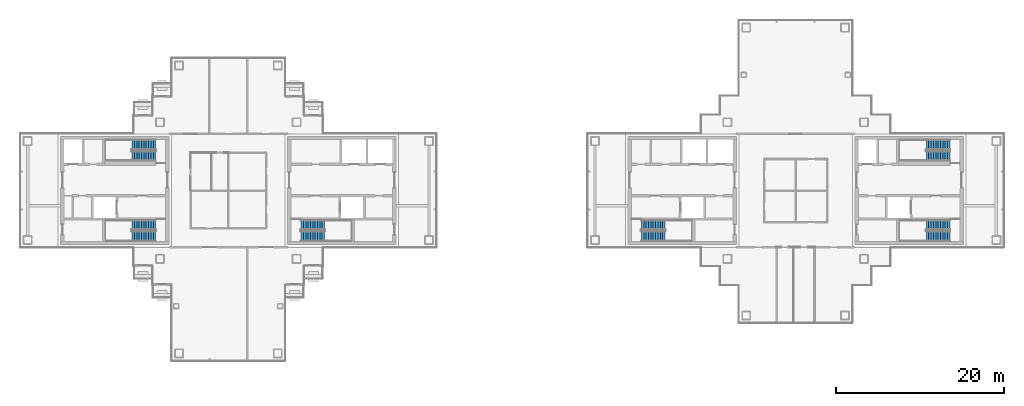
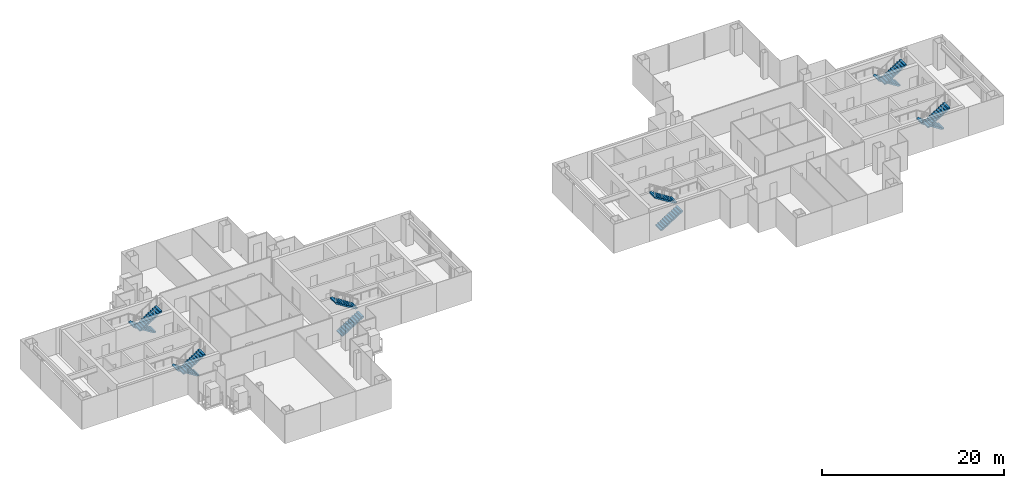
# One storey, part 12 of 15: 12 stair flights, 6 elements without a shape of their own.
"""IFC4 building model written with IfcOpenShell, lengths in metres."""

from ifc_helpers import new_model, si_unit, direction, frame, origin, place, context, subcontext, project, spatial, polyline, outline, extrude, material, type_object, element, aggregate, save


model = new_model("IFC4")

# Units and contexts
model_context = context("Model", 3, precision=1e-05, world=origin(), true_north=direction((0.0, 1.0)))
body_context = subcontext(model_context, "Body", "Model", "MODEL_VIEW")
ifc_project = project(units=[si_unit("LENGTHUNIT", "METRE"), si_unit("AREAUNIT", "SQUARE_METRE"), si_unit("VOLUMEUNIT", "CUBIC_METRE"), si_unit("PLANEANGLEUNIT", "RADIAN"), si_unit("MASSUNIT", "GRAM", prefix="KILO")], contexts=[model_context])

# Site, building, storey
site_placement = place(None, origin())
site = spatial("IfcSite", under=ifc_project, at=site_placement, CompositionType="ELEMENT")
building_placement = place(site_placement, origin())
building = spatial("IfcBuilding", under=site, at=building_placement, Name="Shamsa Quay Exchange Towers", CompositionType="ELEMENT")
storey_placement = place(building_placement, frame((0.0, 0.0, 206.10009765625)))
storey = spatial("IfcBuildingStorey", under=building, at=storey_placement, Name="L49", CompositionType="ELEMENT", Elevation=206.10009765625)

# Stair, stair flights
ifc_material = material(Name="Concrete C40/50", Category="concrete")
stair_type = type_object("IfcStairType", Name="EXIT STAIR 22 RISERS 177 MM", PredefinedType="HALF_TURN_STAIR", material=ifc_material)
stair_1_placement = place(storey_placement, origin())
stair_1 = element("IfcStair", 1, at=stair_1_placement, inside=storey, type_object=stair_type, Name="L49 Exit stair ST1", PredefinedType="HALF_TURN_STAIR")
stair_flight_type = type_object("IfcStairFlightType", Name="EXIT STAIR FLIGHT 11 RISERS 177 MM", PredefinedType="STRAIGHT", material=ifc_material)
stair_flight_1_placement = place(storey_placement, frame((-25.10009765625, -5.449951171875, 0.0)))
stair_flight_1 = element("IfcStairFlight", 2, at=stair_flight_1_placement, type_object=stair_flight_type, Name="ST1 flight 1", NumberOfRisers=11, NumberOfTreads=10, PredefinedType="STRAIGHT", RiserHeight=0.177272727, TreadLength=0.28, context=body_context, shape_type="SweptSolid", body=[
    extrude(outline(polyline([(0.0, 0.0), (0.0, 0.17724609375), (0.280029296875, 0.17724609375), (0.280029296875, 0.3544921875), (0.56005859375, 0.3544921875), (0.56005859375, 0.53173828125), (0.840087890625, 0.53173828125), (0.840087890625, 0.708984375), (1.1201171875, 0.708984375), (1.1201171875, 0.886474609375), (1.39990234375, 0.886474609375), (1.39990234375, 1.063720703125), (1.679931640625, 1.063720703125), (1.679931640625, 1.240966796875), (1.9599609375, 1.240966796875), (1.9599609375, 1.418212890625), (2.239990234375, 1.418212890625), (2.239990234375, 1.595458984375), (2.52001953125, 1.595458984375), (2.52001953125, 1.772705078125), (2.800048828125, 1.772705078125), (2.800048828125, 1.949951171875), (2.800048828125, 1.607177734375), (0.261474609375, 0.0), (0.0, 0.0)])), frame((0.0, 0.60009765625, 0.0), z_axis=(0.0, -1.0, 0.0), x_axis=(1.0, 0.0, 0.0)), (0.0, 0.0, 1.0), 1.199951171875),
])
stair_flight_2_placement = place(storey_placement, frame((-22.300048828125, -4.10009765625, 1.949951171875), z_axis=(0.0, 0.0, 1.0), x_axis=(-1.0, 0.0, 0.0)))
stair_flight_2 = element("IfcStairFlight", 3, at=stair_flight_2_placement, type_object=stair_flight_type, Name="ST1 flight 2", NumberOfRisers=11, NumberOfTreads=10, PredefinedType="STRAIGHT", RiserHeight=0.177272727, TreadLength=0.28, context=body_context, shape_type="SweptSolid", body=[
    extrude(outline(polyline([(0.0, 0.0), (0.0, 0.17724609375), (0.280029296875, 0.17724609375), (0.280029296875, 0.3544921875), (0.56005859375, 0.3544921875), (0.56005859375, 0.53173828125), (0.840087890625, 0.53173828125), (0.840087890625, 0.708984375), (1.1201171875, 0.708984375), (1.1201171875, 0.886474609375), (1.39990234375, 0.886474609375), (1.39990234375, 1.063720703125), (1.679931640625, 1.063720703125), (1.679931640625, 1.240966796875), (1.9599609375, 1.240966796875), (1.9599609375, 1.418212890625), (2.239990234375, 1.418212890625), (2.239990234375, 1.595458984375), (2.52001953125, 1.595458984375), (2.52001953125, 1.772705078125), (2.800048828125, 1.772705078125), (2.800048828125, 1.949951171875), (2.800048828125, 1.607177734375), (0.261474609375, 0.0), (0.0, 0.0)])), frame((0.0, 0.60009765625, 0.0), z_axis=(0.0, -1.0, 0.0), x_axis=(1.0, 0.0, 0.0)), (0.0, 0.0, 1.0), 1.199951171875),
])
aggregate(stair_1, [stair_flight_1, stair_flight_2])

stair_2_placement = place(storey_placement, origin())
stair_2 = element("IfcStair", 4, at=stair_2_placement, inside=storey, type_object=stair_type, Name="L49 Exit stair ST2", PredefinedType="HALF_TURN_STAIR")
stair_flight_3_placement = place(storey_placement, frame((-42.39990234375, -4.10009765625, 0.0), z_axis=(0.0, 0.0, 1.0), x_axis=(-1.0, 0.0, 0.0)))
stair_flight_3 = element("IfcStairFlight", 5, at=stair_flight_3_placement, type_object=stair_flight_type, Name="ST2 flight 1", NumberOfRisers=11, NumberOfTreads=10, PredefinedType="STRAIGHT", RiserHeight=0.177272727, TreadLength=0.28, context=body_context, shape_type="SweptSolid", body=[
    extrude(outline(polyline([(0.0, 0.0), (0.0, 0.17724609375), (0.280029296875, 0.17724609375), (0.280029296875, 0.3544921875), (0.56005859375, 0.3544921875), (0.56005859375, 0.53173828125), (0.840087890625, 0.53173828125), (0.840087890625, 0.708984375), (1.1201171875, 0.708984375), (1.1201171875, 0.886474609375), (1.39990234375, 0.886474609375), (1.39990234375, 1.063720703125), (1.679931640625, 1.063720703125), (1.679931640625, 1.240966796875), (1.9599609375, 1.240966796875), (1.9599609375, 1.418212890625), (2.239990234375, 1.418212890625), (2.239990234375, 1.595458984375), (2.52001953125, 1.595458984375), (2.52001953125, 1.772705078125), (2.800048828125, 1.772705078125), (2.800048828125, 1.949951171875), (2.800048828125, 1.607177734375), (0.261474609375, 0.0), (0.0, 0.0)])), frame((0.0, 0.60009765625, 0.0), z_axis=(0.0, -1.0, 0.0), x_axis=(1.0, 0.0, 0.0)), (0.0, 0.0, 1.0), 1.199951171875),
])
stair_flight_4_placement = place(storey_placement, frame((-45.199951171875, -5.449951171875, 1.949951171875)))
stair_flight_4 = element("IfcStairFlight", 6, at=stair_flight_4_placement, type_object=stair_flight_type, Name="ST2 flight 2", NumberOfRisers=11, NumberOfTreads=10, PredefinedType="STRAIGHT", RiserHeight=0.177272727, TreadLength=0.28, context=body_context, shape_type="SweptSolid", body=[
    extrude(outline(polyline([(0.0, 0.0), (0.0, 0.17724609375), (0.280029296875, 0.17724609375), (0.280029296875, 0.3544921875), (0.56005859375, 0.3544921875), (0.56005859375, 0.53173828125), (0.840087890625, 0.53173828125), (0.840087890625, 0.708984375), (1.1201171875, 0.708984375), (1.1201171875, 0.886474609375), (1.39990234375, 0.886474609375), (1.39990234375, 1.063720703125), (1.679931640625, 1.063720703125), (1.679931640625, 1.240966796875), (1.9599609375, 1.240966796875), (1.9599609375, 1.418212890625), (2.239990234375, 1.418212890625), (2.239990234375, 1.595458984375), (2.52001953125, 1.595458984375), (2.52001953125, 1.772705078125), (2.800048828125, 1.772705078125), (2.800048828125, 1.949951171875), (2.800048828125, 1.607177734375), (0.261474609375, 0.0), (0.0, 0.0)])), frame((0.0, 0.60009765625, 0.0), z_axis=(0.0, -1.0, 0.0), x_axis=(1.0, 0.0, 0.0)), (0.0, 0.0, 1.0), 1.199951171875),
])
aggregate(stair_2, [stair_flight_3, stair_flight_4])

stair_3_placement = place(storey_placement, origin())
stair_3 = element("IfcStair", 7, at=stair_3_placement, inside=storey, type_object=stair_type, Name="L49 Exit stair ST3", PredefinedType="HALF_TURN_STAIR")
stair_flight_5_placement = place(storey_placement, frame((-42.39990234375, 5.449951171875, 0.0), z_axis=(0.0, 0.0, 1.0), x_axis=(-1.0, 0.0, 0.0)))
stair_flight_5 = element("IfcStairFlight", 8, at=stair_flight_5_placement, type_object=stair_flight_type, Name="ST3 flight 1", NumberOfRisers=11, NumberOfTreads=10, PredefinedType="STRAIGHT", RiserHeight=0.177272727, TreadLength=0.28, context=body_context, shape_type="SweptSolid", body=[
    extrude(outline(polyline([(0.0, 0.0), (0.0, 0.17724609375), (0.280029296875, 0.17724609375), (0.280029296875, 0.3544921875), (0.56005859375, 0.3544921875), (0.56005859375, 0.53173828125), (0.840087890625, 0.53173828125), (0.840087890625, 0.708984375), (1.1201171875, 0.708984375), (1.1201171875, 0.886474609375), (1.39990234375, 0.886474609375), (1.39990234375, 1.063720703125), (1.679931640625, 1.063720703125), (1.679931640625, 1.240966796875), (1.9599609375, 1.240966796875), (1.9599609375, 1.418212890625), (2.239990234375, 1.418212890625), (2.239990234375, 1.595458984375), (2.52001953125, 1.595458984375), (2.52001953125, 1.772705078125), (2.800048828125, 1.772705078125), (2.800048828125, 1.949951171875), (2.800048828125, 1.607177734375), (0.261474609375, 0.0), (0.0, 0.0)])), frame((0.0, 0.60009765625, 0.0), z_axis=(0.0, -1.0, 0.0), x_axis=(1.0, 0.0, 0.0)), (0.0, 0.0, 1.0), 1.199951171875),
])
stair_flight_6_placement = place(storey_placement, frame((-45.199951171875, 4.10009765625, 1.949951171875)))
stair_flight_6 = element("IfcStairFlight", 9, at=stair_flight_6_placement, type_object=stair_flight_type, Name="ST3 flight 2", NumberOfRisers=11, NumberOfTreads=10, PredefinedType="STRAIGHT", RiserHeight=0.177272727, TreadLength=0.28, context=body_context, shape_type="SweptSolid", body=[
    extrude(outline(polyline([(0.0, 0.0), (0.0, 0.17724609375), (0.280029296875, 0.17724609375), (0.280029296875, 0.3544921875), (0.56005859375, 0.3544921875), (0.56005859375, 0.53173828125), (0.840087890625, 0.53173828125), (0.840087890625, 0.708984375), (1.1201171875, 0.708984375), (1.1201171875, 0.886474609375), (1.39990234375, 0.886474609375), (1.39990234375, 1.063720703125), (1.679931640625, 1.063720703125), (1.679931640625, 1.240966796875), (1.9599609375, 1.240966796875), (1.9599609375, 1.418212890625), (2.239990234375, 1.418212890625), (2.239990234375, 1.595458984375), (2.52001953125, 1.595458984375), (2.52001953125, 1.772705078125), (2.800048828125, 1.772705078125), (2.800048828125, 1.949951171875), (2.800048828125, 1.607177734375), (0.261474609375, 0.0), (0.0, 0.0)])), frame((0.0, 0.60009765625, 0.0), z_axis=(0.0, -1.0, 0.0), x_axis=(1.0, 0.0, 0.0)), (0.0, 0.0, 1.0), 1.199951171875),
])
aggregate(stair_3, [stair_flight_5, stair_flight_6])

stair_4_placement = place(storey_placement, origin())
stair_4 = element("IfcStair", 10, at=stair_4_placement, inside=storey, type_object=stair_type, Name="L49 Exit stair ST4", PredefinedType="HALF_TURN_STAIR")
stair_flight_7_placement = place(storey_placement, frame((15.39990234375, -5.449951171875, 0.0)))
stair_flight_7 = element("IfcStairFlight", 11, at=stair_flight_7_placement, type_object=stair_flight_type, Name="ST4 flight 1", NumberOfRisers=11, NumberOfTreads=10, PredefinedType="STRAIGHT", RiserHeight=0.177272727, TreadLength=0.28, context=body_context, shape_type="SweptSolid", body=[
    extrude(outline(polyline([(0.0, 0.0), (0.0, 0.17724609375), (0.280029296875, 0.17724609375), (0.280029296875, 0.3544921875), (0.56005859375, 0.3544921875), (0.56005859375, 0.53173828125), (0.840087890625, 0.53173828125), (0.840087890625, 0.708984375), (1.1201171875, 0.708984375), (1.1201171875, 0.886474609375), (1.39990234375, 0.886474609375), (1.39990234375, 1.063720703125), (1.679931640625, 1.063720703125), (1.679931640625, 1.240966796875), (1.9599609375, 1.240966796875), (1.9599609375, 1.418212890625), (2.239990234375, 1.418212890625), (2.239990234375, 1.595458984375), (2.52001953125, 1.595458984375), (2.52001953125, 1.772705078125), (2.800048828125, 1.772705078125), (2.800048828125, 1.949951171875), (2.800048828125, 1.607177734375), (0.261474609375, 0.0), (0.0, 0.0)])), frame((0.0, 0.60009765625, 0.0), z_axis=(0.0, -1.0, 0.0), x_axis=(1.0, 0.0, 0.0)), (0.0, 0.0, 1.0), 1.199951171875),
])
stair_flight_8_placement = place(storey_placement, frame((18.199951171875, -4.10009765625, 1.949951171875), z_axis=(0.0, 0.0, 1.0), x_axis=(-1.0, 0.0, 0.0)))
stair_flight_8 = element("IfcStairFlight", 12, at=stair_flight_8_placement, type_object=stair_flight_type, Name="ST4 flight 2", NumberOfRisers=11, NumberOfTreads=10, PredefinedType="STRAIGHT", RiserHeight=0.177272727, TreadLength=0.28, context=body_context, shape_type="SweptSolid", body=[
    extrude(outline(polyline([(0.0, 0.0), (0.0, 0.17724609375), (0.280029296875, 0.17724609375), (0.280029296875, 0.3544921875), (0.56005859375, 0.3544921875), (0.56005859375, 0.53173828125), (0.840087890625, 0.53173828125), (0.840087890625, 0.708984375), (1.1201171875, 0.708984375), (1.1201171875, 0.886474609375), (1.39990234375, 0.886474609375), (1.39990234375, 1.063720703125), (1.679931640625, 1.063720703125), (1.679931640625, 1.240966796875), (1.9599609375, 1.240966796875), (1.9599609375, 1.418212890625), (2.239990234375, 1.418212890625), (2.239990234375, 1.595458984375), (2.52001953125, 1.595458984375), (2.52001953125, 1.772705078125), (2.800048828125, 1.772705078125), (2.800048828125, 1.949951171875), (2.800048828125, 1.607177734375), (0.261474609375, 0.0), (0.0, 0.0)])), frame((0.0, 0.60009765625, 0.0), z_axis=(0.0, -1.0, 0.0), x_axis=(1.0, 0.0, 0.0)), (0.0, 0.0, 1.0), 1.199951171875),
])
aggregate(stair_4, [stair_flight_7, stair_flight_8])

stair_5_placement = place(storey_placement, origin())
stair_5 = element("IfcStair", 13, at=stair_5_placement, inside=storey, type_object=stair_type, Name="L49 Exit stair ST5", PredefinedType="HALF_TURN_STAIR")
stair_flight_9_placement = place(storey_placement, frame((52.10009765625, -4.10009765625, 0.0), z_axis=(0.0, 0.0, 1.0), x_axis=(-1.0, 0.0, 0.0)))
stair_flight_9 = element("IfcStairFlight", 14, at=stair_flight_9_placement, type_object=stair_flight_type, Name="ST5 flight 1", NumberOfRisers=11, NumberOfTreads=10, PredefinedType="STRAIGHT", RiserHeight=0.177272727, TreadLength=0.28, context=body_context, shape_type="SweptSolid", body=[
    extrude(outline(polyline([(0.0, 0.0), (0.0, 0.17724609375), (0.280029296875, 0.17724609375), (0.280029296875, 0.3544921875), (0.56005859375, 0.3544921875), (0.56005859375, 0.53173828125), (0.840087890625, 0.53173828125), (0.840087890625, 0.708984375), (1.1201171875, 0.708984375), (1.1201171875, 0.886474609375), (1.39990234375, 0.886474609375), (1.39990234375, 1.063720703125), (1.679931640625, 1.063720703125), (1.679931640625, 1.240966796875), (1.9599609375, 1.240966796875), (1.9599609375, 1.418212890625), (2.239990234375, 1.418212890625), (2.239990234375, 1.595458984375), (2.52001953125, 1.595458984375), (2.52001953125, 1.772705078125), (2.800048828125, 1.772705078125), (2.800048828125, 1.949951171875), (2.800048828125, 1.607177734375), (0.261474609375, 0.0), (0.0, 0.0)])), frame((0.0, 0.60009765625, 0.0), z_axis=(0.0, -1.0, 0.0), x_axis=(1.0, 0.0, 0.0)), (0.0, 0.0, 1.0), 1.199951171875),
])
stair_flight_10_placement = place(storey_placement, frame((49.300048828125, -5.449951171875, 1.949951171875)))
stair_flight_10 = element("IfcStairFlight", 15, at=stair_flight_10_placement, type_object=stair_flight_type, Name="ST5 flight 2", NumberOfRisers=11, NumberOfTreads=10, PredefinedType="STRAIGHT", RiserHeight=0.177272727, TreadLength=0.28, context=body_context, shape_type="SweptSolid", body=[
    extrude(outline(polyline([(0.0, 0.0), (0.0, 0.17724609375), (0.280029296875, 0.17724609375), (0.280029296875, 0.3544921875), (0.56005859375, 0.3544921875), (0.56005859375, 0.53173828125), (0.840087890625, 0.53173828125), (0.840087890625, 0.708984375), (1.1201171875, 0.708984375), (1.1201171875, 0.886474609375), (1.39990234375, 0.886474609375), (1.39990234375, 1.063720703125), (1.679931640625, 1.063720703125), (1.679931640625, 1.240966796875), (1.9599609375, 1.240966796875), (1.9599609375, 1.418212890625), (2.239990234375, 1.418212890625), (2.239990234375, 1.595458984375), (2.52001953125, 1.595458984375), (2.52001953125, 1.772705078125), (2.800048828125, 1.772705078125), (2.800048828125, 1.949951171875), (2.800048828125, 1.607177734375), (0.261474609375, 0.0), (0.0, 0.0)])), frame((0.0, 0.60009765625, 0.0), z_axis=(0.0, -1.0, 0.0), x_axis=(1.0, 0.0, 0.0)), (0.0, 0.0, 1.0), 1.199951171875),
])
aggregate(stair_5, [stair_flight_9, stair_flight_10])

stair_6_placement = place(storey_placement, origin())
stair_6 = element("IfcStair", 16, at=stair_6_placement, inside=storey, type_object=stair_type, Name="L49 Exit stair ST6", PredefinedType="HALF_TURN_STAIR")
stair_flight_11_placement = place(storey_placement, frame((52.10009765625, 5.449951171875, 0.0), z_axis=(0.0, 0.0, 1.0), x_axis=(-1.0, 0.0, 0.0)))
stair_flight_11 = element("IfcStairFlight", 17, at=stair_flight_11_placement, type_object=stair_flight_type, Name="ST6 flight 1", NumberOfRisers=11, NumberOfTreads=10, PredefinedType="STRAIGHT", RiserHeight=0.177272727, TreadLength=0.28, context=body_context, shape_type="SweptSolid", body=[
    extrude(outline(polyline([(0.0, 0.0), (0.0, 0.17724609375), (0.280029296875, 0.17724609375), (0.280029296875, 0.3544921875), (0.56005859375, 0.3544921875), (0.56005859375, 0.53173828125), (0.840087890625, 0.53173828125), (0.840087890625, 0.708984375), (1.1201171875, 0.708984375), (1.1201171875, 0.886474609375), (1.39990234375, 0.886474609375), (1.39990234375, 1.063720703125), (1.679931640625, 1.063720703125), (1.679931640625, 1.240966796875), (1.9599609375, 1.240966796875), (1.9599609375, 1.418212890625), (2.239990234375, 1.418212890625), (2.239990234375, 1.595458984375), (2.52001953125, 1.595458984375), (2.52001953125, 1.772705078125), (2.800048828125, 1.772705078125), (2.800048828125, 1.949951171875), (2.800048828125, 1.607177734375), (0.261474609375, 0.0), (0.0, 0.0)])), frame((0.0, 0.60009765625, 0.0), z_axis=(0.0, -1.0, 0.0), x_axis=(1.0, 0.0, 0.0)), (0.0, 0.0, 1.0), 1.199951171875),
])
stair_flight_12_placement = place(storey_placement, frame((49.300048828125, 4.10009765625, 1.949951171875)))
stair_flight_12 = element("IfcStairFlight", 18, at=stair_flight_12_placement, type_object=stair_flight_type, Name="ST6 flight 2", NumberOfRisers=11, NumberOfTreads=10, PredefinedType="STRAIGHT", RiserHeight=0.177272727, TreadLength=0.28, context=body_context, shape_type="SweptSolid", body=[
    extrude(outline(polyline([(0.0, 0.0), (0.0, 0.17724609375), (0.280029296875, 0.17724609375), (0.280029296875, 0.3544921875), (0.56005859375, 0.3544921875), (0.56005859375, 0.53173828125), (0.840087890625, 0.53173828125), (0.840087890625, 0.708984375), (1.1201171875, 0.708984375), (1.1201171875, 0.886474609375), (1.39990234375, 0.886474609375), (1.39990234375, 1.063720703125), (1.679931640625, 1.063720703125), (1.679931640625, 1.240966796875), (1.9599609375, 1.240966796875), (1.9599609375, 1.418212890625), (2.239990234375, 1.418212890625), (2.239990234375, 1.595458984375), (2.52001953125, 1.595458984375), (2.52001953125, 1.772705078125), (2.800048828125, 1.772705078125), (2.800048828125, 1.949951171875), (2.800048828125, 1.607177734375), (0.261474609375, 0.0), (0.0, 0.0)])), frame((0.0, 0.60009765625, 0.0), z_axis=(0.0, -1.0, 0.0), x_axis=(1.0, 0.0, 0.0)), (0.0, 0.0, 1.0), 1.199951171875),
])
aggregate(stair_6, [stair_flight_11, stair_flight_12])

save(model, "model.ifc")
